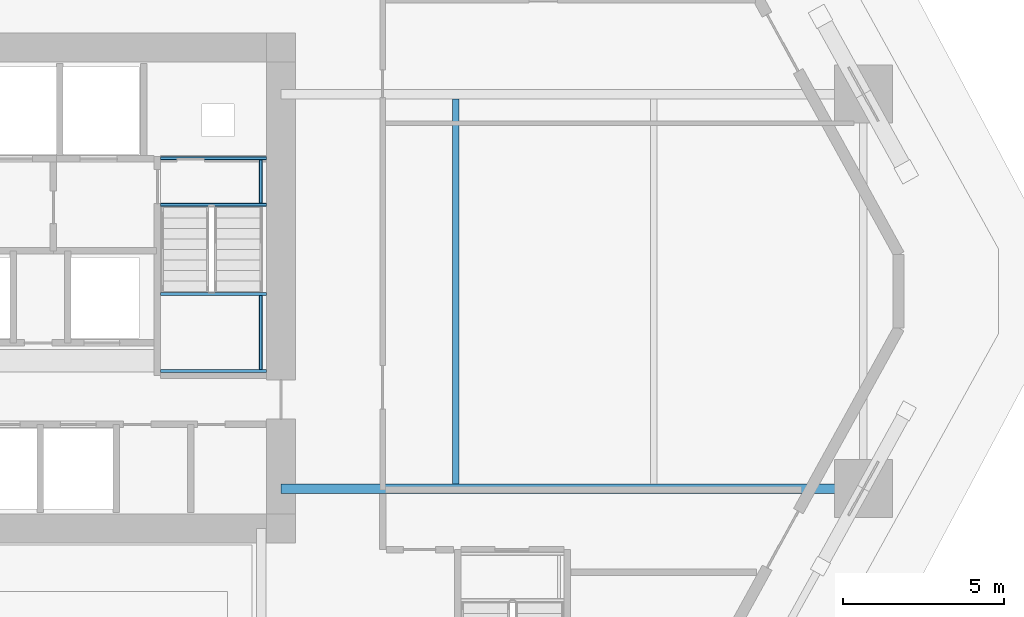
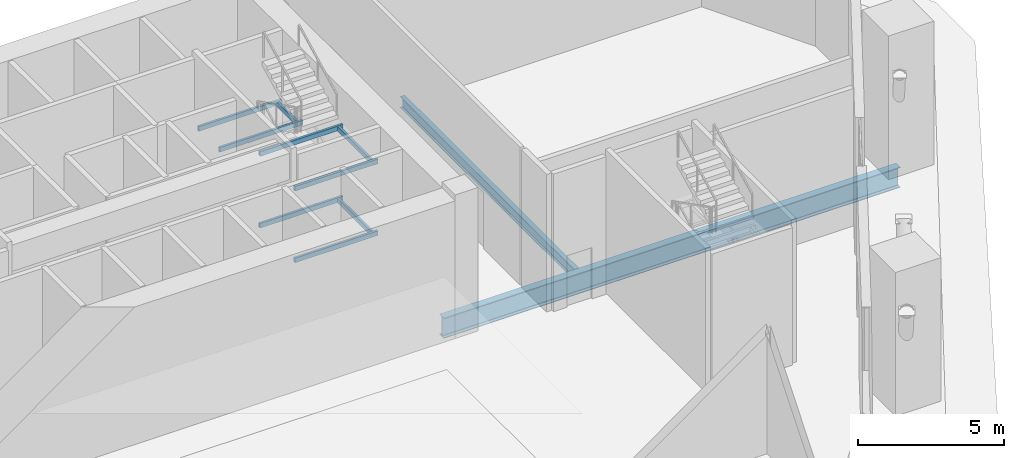
# One storey, part 8 of 22: 11 beams.
"""IFC4 building model written with IfcOpenShell, lengths in metres."""

from ifc_helpers import new_model, si_unit, direction, frame, origin, origin_2d, place, context, subcontext, project, spatial, hollow_rectangle, i_section, extrude, material, material_profile, profile_set, type_object, element, save


model = new_model("IFC4")

# Units and contexts
model_context = context("Model", 3, precision=1e-05, world=origin(), true_north=direction((0.0, 1.0)))
body_context = subcontext(model_context, "Body", "Model", "MODEL_VIEW")
ifc_project = project(units=[si_unit("LENGTHUNIT", "METRE"), si_unit("AREAUNIT", "SQUARE_METRE"), si_unit("VOLUMEUNIT", "CUBIC_METRE"), si_unit("PLANEANGLEUNIT", "RADIAN"), si_unit("MASSUNIT", "GRAM", prefix="KILO")], contexts=[model_context])

# Site, building, storey
site_placement = place(None, origin())
site = spatial("IfcSite", under=ifc_project, at=site_placement, CompositionType="ELEMENT")
building_placement = place(site_placement, origin())
building = spatial("IfcBuilding", under=site, at=building_placement, Name="Cinnabar Lancet Tower", CompositionType="ELEMENT")
storey_placement = place(building_placement, origin())
storey = spatial("IfcBuildingStorey", under=building, at=storey_placement, Name="L00", CompositionType="ELEMENT", Elevation=0.0)

# Beams
ifc_material_1 = material(Name="Structural steel S355", Category="steel")
ifc_material_profile_1 = material_profile(ifc_material_1, i_section(OverallWidth=0.1904296875, OverallDepth=0.45703125, WebThickness=0.009033203125, FlangeThickness=0.014404296875, FilletRadius=0.01025390625, at=origin_2d()), Name="UKB 457x191x74")
ifc_profile_set_1 = profile_set([ifc_material_profile_1], Name="Structural steel S355")
beam_type_1 = type_object("IfcBeamType", Name="STR-BM-JST-457", PredefinedType="JOIST", material=ifc_profile_set_1)
beam_1_placement = place(storey_placement, frame((47.261962890625, 19.839111328125, -0.47900390625), z_axis=(0.0, 1.0, 0.0), x_axis=(-1.0, 0.0, 0.0)))
element("IfcBeam", 1, at=beam_1_placement, inside=storey, type_object=beam_type_1, Name="L00 Secondary Floor Joist 2", PredefinedType="JOIST", context=body_context, shape_type="SweptSolid", body=[
    extrude(i_section(OverallWidth=0.1904296875, OverallDepth=0.45703125, WebThickness=0.009033203125, FlangeThickness=0.014404296875, FilletRadius=0.01025390625, at=origin_2d()), origin(), (0.0, 0.0, 1.0), 11.921875),
])
ifc_material_2 = material(Name="Structural steel S355", Category="steel")
ifc_material_profile_2 = material_profile(ifc_material_2, hollow_rectangle(XDim=0.10009765625, YDim=0.199951171875, WallThickness=0.008056640625, InnerFilletRadius=0.00390625, OuterFilletRadius=0.011962890625, at=origin_2d()), Name="RHS 200x100x8")
ifc_profile_set_2 = profile_set([ifc_material_profile_2], Name="Structural steel S355")
beam_type_2 = type_object("IfcBeamType", Name="STR-BM-LND-203", PredefinedType="BEAM", material=ifc_profile_set_2)
for number, where, z_axis, x_axis, name in (
    (2, (38.1201171875, 23.330078125, 1.199951171875), (1.0, 0.0, 0.0), (0.0, 1.0, 0.0), "L00 ST-2-L00 Landing Support Beam S"),
    (3, (38.1201171875, 25.719970703125, 1.199951171875), (1.0, 0.0, 0.0), (0.0, 1.0, 0.0), "L00 ST-2-L00 Landing Support Beam N"),
):
    element("IfcBeam", number, at=place(storey_placement, frame(where, z_axis=z_axis, x_axis=x_axis)), inside=storey, type_object=beam_type_2, Name=name, PredefinedType="BEAM", context=body_context, shape_type="SweptSolid", body=[
        extrude(hollow_rectangle(XDim=0.10009765625, YDim=0.199951171875, WallThickness=0.008056640625, InnerFilletRadius=0.00390625, OuterFilletRadius=0.011962890625, at=origin_2d()), origin(), (0.0, 0.0, 1.0), 3.27978515625),
    ])
beam_2_placement = place(storey_placement, frame((41.219970703125, 23.3798828125, 1.199951171875), z_axis=(0.0, 1.0, 0.0), x_axis=(-1.0, 0.0, 0.0)))
element("IfcBeam", 4, at=beam_2_placement, inside=storey, type_object=beam_type_2, Name="L00 ST-2-L00 Landing Side Trimmer Beam", PredefinedType="BEAM", context=body_context, shape_type="SweptSolid", body=[
    extrude(hollow_rectangle(XDim=0.10009765625, YDim=0.199951171875, WallThickness=0.008056640625, InnerFilletRadius=0.00390625, OuterFilletRadius=0.011962890625, at=origin_2d()), origin(), (0.0, 0.0, 1.0), 2.2900390625),
])
for number, where, z_axis, x_axis, name in (
    (5, (38.1201171875, 28.47998046875, 2.699951171875), (1.0, 0.0, 0.0), (0.0, 1.0, 0.0), "L00 ST-2-L00 Landing Support Beam S"),
    (6, (38.1201171875, 29.919921875, 2.699951171875), (1.0, 0.0, 0.0), (0.0, 1.0, 0.0), "L00 ST-2-L00 Landing Support Beam N"),
):
    element("IfcBeam", number, at=place(storey_placement, frame(where, z_axis=z_axis, x_axis=x_axis)), inside=storey, type_object=beam_type_2, Name=name, PredefinedType="BEAM", context=body_context, shape_type="SweptSolid", body=[
        extrude(hollow_rectangle(XDim=0.10009765625, YDim=0.199951171875, WallThickness=0.008056640625, InnerFilletRadius=0.00390625, OuterFilletRadius=0.011962890625, at=origin_2d()), origin(), (0.0, 0.0, 1.0), 3.27978515625),
    ])
beam_3_placement = place(storey_placement, frame((41.219970703125, 28.530029296875, 2.699951171875), z_axis=(0.0, 1.0, 0.0), x_axis=(-1.0, 0.0, 0.0)))
element("IfcBeam", 7, at=beam_3_placement, inside=storey, type_object=beam_type_2, Name="L00 ST-2-L00 Landing Side Trimmer Beam", PredefinedType="BEAM", context=body_context, shape_type="SweptSolid", body=[
    extrude(hollow_rectangle(XDim=0.10009765625, YDim=0.199951171875, WallThickness=0.008056640625, InnerFilletRadius=0.00390625, OuterFilletRadius=0.011962890625, at=origin_2d()), origin(), (0.0, 0.0, 1.0), 1.340087890625),
])
for number, where, z_axis, x_axis, name in (
    (8, (38.1201171875, 23.330078125, 4.199951171875), (1.0, 0.0, 0.0), (0.0, 1.0, 0.0), "L00 ST-2-L00 Landing Support Beam S"),
    (9, (38.1201171875, 25.719970703125, 4.199951171875), (1.0, 0.0, 0.0), (0.0, 1.0, 0.0), "L00 ST-2-L00 Landing Support Beam N"),
):
    element("IfcBeam", number, at=place(storey_placement, frame(where, z_axis=z_axis, x_axis=x_axis)), inside=storey, type_object=beam_type_2, Name=name, PredefinedType="BEAM", context=body_context, shape_type="SweptSolid", body=[
        extrude(hollow_rectangle(XDim=0.10009765625, YDim=0.199951171875, WallThickness=0.008056640625, InnerFilletRadius=0.00390625, OuterFilletRadius=0.011962890625, at=origin_2d()), origin(), (0.0, 0.0, 1.0), 3.27978515625),
    ])
beam_4_placement = place(storey_placement, frame((41.219970703125, 23.3798828125, 4.199951171875), z_axis=(0.0, 1.0, 0.0), x_axis=(-1.0, 0.0, 0.0)))
element("IfcBeam", 10, at=beam_4_placement, inside=storey, type_object=beam_type_2, Name="L00 ST-2-L00 Landing Side Trimmer Beam", PredefinedType="BEAM", context=body_context, shape_type="SweptSolid", body=[
    extrude(hollow_rectangle(XDim=0.10009765625, YDim=0.199951171875, WallThickness=0.008056640625, InnerFilletRadius=0.00390625, OuterFilletRadius=0.011962890625, at=origin_2d()), origin(), (0.0, 0.0, 1.0), 2.2900390625),
])
ifc_material_3 = material(Name="Structural steel S355", Category="steel")
ifc_material_profile_3 = material_profile(ifc_material_3, i_section(OverallWidth=0.293701171875, OverallDepth=0.850830078125, WebThickness=0.01611328125, FlangeThickness=0.02685546875, FilletRadius=0.017822265625, at=origin_2d()), Name="UKB 838x292x226")
ifc_profile_set_3 = profile_set([ifc_material_profile_3], Name="Structural steel S355")
beam_type_3 = type_object("IfcBeamType", Name="STR-BM-UKB838-226", PredefinedType="BEAM", material=ifc_profile_set_3)
beam_5_placement = place(storey_placement, frame((59.89111328125, 19.69189453125, -0.675048828125), z_axis=(-1.0, 0.0, 0.0), x_axis=(0.0, -1.0, 0.0)))
element("IfcBeam", 11, at=beam_5_placement, inside=storey, type_object=beam_type_3, Name="L00 Primary Floor Girder 4", PredefinedType="BEAM", context=body_context, shape_type="SweptSolid", body=[
    extrude(i_section(OverallWidth=0.293701171875, OverallDepth=0.850830078125, WebThickness=0.01611328125, FlangeThickness=0.02685546875, FilletRadius=0.017822265625, at=origin_2d()), origin(), (0.0, 0.0, 1.0), 18.041015625),
])

save(model, "model.ifc")
